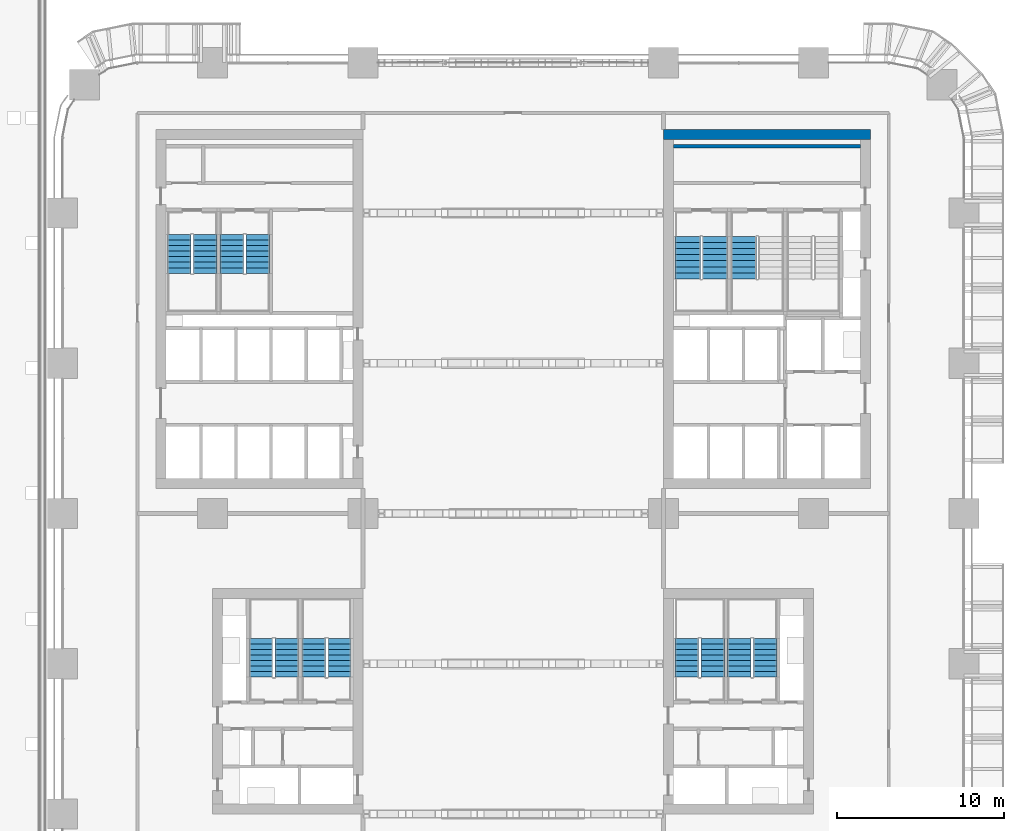
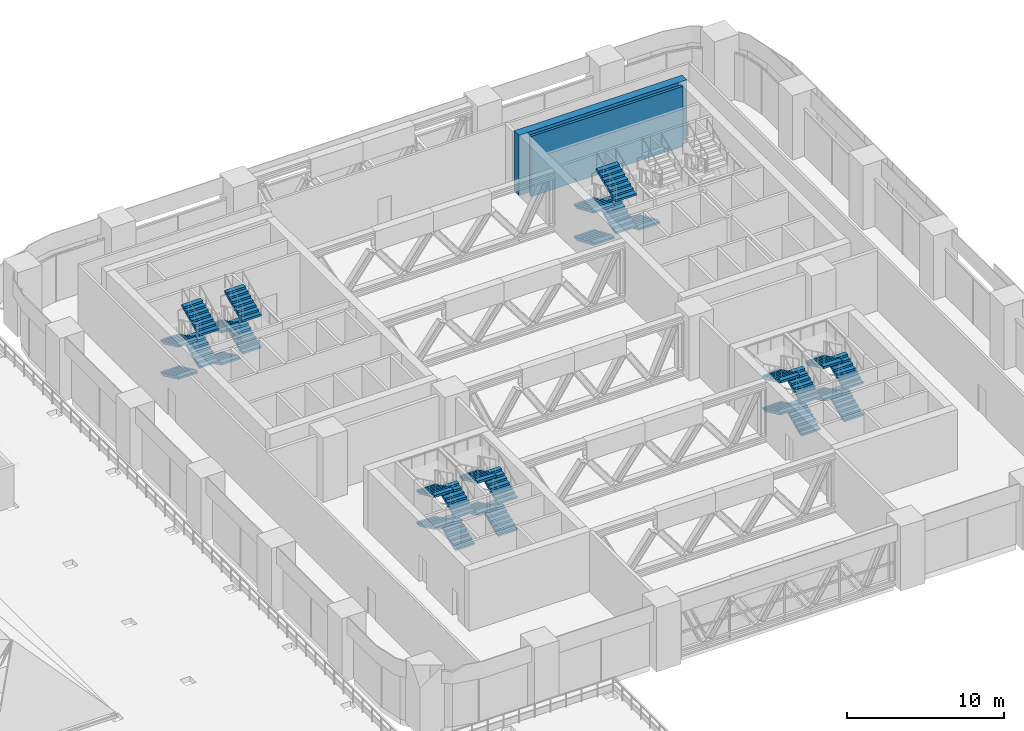
# One storey, part 26 of 35: 29 stair flights, 2 walls, 8 elements without a shape of their own.
"""IFC4 building model written with IfcOpenShell, lengths in metres."""

from ifc_helpers import new_model, si_unit, direction, frame, frame_2d, origin, place, context, subcontext, project, spatial, polyline, rectangle, outline, extrude, material, layer, layer_set, type_object, element, aggregate, save


model = new_model("IFC4")

# Units and contexts
model_context = context("Model", 3, precision=1e-05, world=origin(), true_north=direction((0.0, 1.0)))
body_context = subcontext(model_context, "Body", "Model", "MODEL_VIEW")
ifc_project = project(units=[si_unit("LENGTHUNIT", "METRE"), si_unit("AREAUNIT", "SQUARE_METRE"), si_unit("VOLUMEUNIT", "CUBIC_METRE"), si_unit("PLANEANGLEUNIT", "RADIAN"), si_unit("MASSUNIT", "GRAM", prefix="KILO")], contexts=[model_context])

# Site, building, storey
site_placement = place(None, origin())
site = spatial("IfcSite", under=ifc_project, at=site_placement, CompositionType="ELEMENT")
building_placement = place(site_placement, origin())
building = spatial("IfcBuilding", under=site, at=building_placement, Name="Tessera Arch", CompositionType="ELEMENT")
storey_placement = place(building_placement, frame((0.0, 0.0, 26.0)))
storey = spatial("IfcBuildingStorey", under=building, at=storey_placement, Name="L04", CompositionType="ELEMENT", Elevation=26.0)

# Walls
ifc_material_1 = material(Name="Gypsum board on steel stud", Category="steel")
ifc_layer_1 = layer(ifc_material_1, 0.125)
ifc_layer_set_1 = layer_set([ifc_layer_1], Name="Core partition 125 EI 60")
wall_type_1 = type_object("IfcWallType", Name="Core partition 125 EI 60", PredefinedType="PARTITIONING", material=ifc_layer_set_1)
wall_1_placement = place(storey_placement, frame((36.60009765625, 49.0, 0.0), z_axis=(0.0, 0.0, 1.0), x_axis=(1.0, 0.0, 0.0)))
element("IfcWall", 1, at=wall_1_placement, inside=storey, type_object=wall_type_1, Name="L04 C1 partition wall 38", PredefinedType="PARTITIONING", context=body_context, shape_type="SweptSolid", body=[
    extrude(rectangle(XDim=11.199951171875, YDim=0.199951171875, at=frame_2d((5.60009765625, 0.0))), origin(), (0.0, 0.0, 1.0), 4.699951171875),
])
ifc_material_2 = material(Name="Concrete C70/85", Category="concrete")
ifc_layer_2 = layer(ifc_material_2, 0.60009765625)
ifc_layer_set_2 = layer_set([ifc_layer_2], Name="Core shell wall 600 C70-85")
wall_type_2 = type_object("IfcWallType", Name="Core shell wall 600 C70-85", PredefinedType="SHEAR", material=ifc_layer_set_2)
wall_2_placement = place(storey_placement, frame((36.0, 49.699951171875, 0.0), z_axis=(0.0, 0.0, 1.0), x_axis=(1.0, 0.0, 0.0)))
element("IfcWall", 2, at=wall_2_placement, inside=storey, type_object=wall_type_2, Name="L04 C1 core wall N", PredefinedType="SHEAR", context=body_context, shape_type="SweptSolid", body=[
    extrude(rectangle(XDim=12.39990234375, YDim=0.60009765625, at=frame_2d((6.199951171875, 0.0))), origin(), (0.0, 0.0, 1.0), 4.699951171875),
])

# Stair, stair flights
ifc_material_3 = material(Name="Concrete C40/50", Category="concrete")
stair_type_1 = type_object("IfcStairType", Name="Dogleg stair 1400", PredefinedType="HALF_TURN_STAIR", material=ifc_material_3)
stair_1_placement = place(storey_placement, origin())
stair_1 = element("IfcStair", 3, at=stair_1_placement, inside=storey, type_object=stair_type_1, Name="L04 S2a", PredefinedType="HALF_TURN_STAIR")
ifc_material_4 = material(Name="Concrete C40/50", Category="concrete")
stair_flight_type_1 = type_object("IfcStairFlightType", Name="Stair flight 1400", PredefinedType="STRAIGHT", material=ifc_material_4)
stair_flight_1_placement = place(storey_placement, frame((7.0, 43.699951171875, 0.0), z_axis=(0.0, 0.0, 1.0), x_axis=(0.0, -1.0, 0.0)))
stair_flight_1 = element("IfcStairFlight", 4, at=stair_flight_1_placement, type_object=stair_flight_type_1, Name="S2a flight 1", NumberOfRisers=8, NumberOfTreads=7, PredefinedType="STRAIGHT", RiserHeight=0.15625, TreadLength=0.33, context=body_context, shape_type="SweptSolid", body=[
    extrude(outline(polyline([(0.0, 0.0), (0.0, 0.15625), (0.330078125, 0.15625), (0.330078125, 0.3125), (0.659912109375, 0.3125), (0.659912109375, 0.46875), (0.989990234375, 0.46875), (0.989990234375, 0.625), (1.320068359375, 0.625), (1.320068359375, 0.78125), (1.64990234375, 0.78125), (1.64990234375, 0.9375), (1.97998046875, 0.9375), (1.97998046875, 1.09375), (2.31005859375, 1.09375), (2.31005859375, 1.25), (2.31005859375, 0.927978515625), (0.350341796875, 0.0), (0.0, 0.0)])), frame((0.0, 0.699951171875, 0.0), z_axis=(0.0, -1.0, 0.0), x_axis=(1.0, 0.0, 0.0)), (0.0, 0.0, 1.0), 1.39990234375),
])
stair_flight_2_placement = place(storey_placement, frame((8.550048828125, 41.389892578125, 1.25), z_axis=(0.0, 0.0, 1.0), x_axis=(0.0, 1.0, 0.0)))
stair_flight_2 = element("IfcStairFlight", 5, at=stair_flight_2_placement, type_object=stair_flight_type_1, Name="S2a flight 2", NumberOfRisers=8, NumberOfTreads=7, PredefinedType="STRAIGHT", RiserHeight=0.15625, TreadLength=0.33, context=body_context, shape_type="SweptSolid", body=[
    extrude(outline(polyline([(0.0, 0.0), (0.0, 0.15625), (0.330078125, 0.15625), (0.330078125, 0.3125), (0.659912109375, 0.3125), (0.659912109375, 0.46875), (0.989990234375, 0.46875), (0.989990234375, 0.625), (1.320068359375, 0.625), (1.320068359375, 0.78125), (1.64990234375, 0.78125), (1.64990234375, 0.9375), (1.97998046875, 0.9375), (1.97998046875, 1.09375), (2.31005859375, 1.09375), (2.31005859375, 1.25), (2.31005859375, 0.927978515625), (0.350341796875, 0.0), (0.0, 0.0)])), frame((0.0, 0.699951171875, 0.0), z_axis=(0.0, -1.0, 0.0), x_axis=(1.0, 0.0, 0.0)), (0.0, 0.0, 1.0), 1.39990234375),
])
stair_flight_3_placement = place(storey_placement, frame((7.0, 43.699951171875, 2.5), z_axis=(0.0, 0.0, 1.0), x_axis=(0.0, -1.0, 0.0)))
stair_flight_3 = element("IfcStairFlight", 6, at=stair_flight_3_placement, type_object=stair_flight_type_1, Name="S2a flight 3", NumberOfRisers=8, NumberOfTreads=7, PredefinedType="STRAIGHT", RiserHeight=0.15625, TreadLength=0.33, context=body_context, shape_type="SweptSolid", body=[
    extrude(outline(polyline([(0.0, 0.0), (0.0, 0.15625), (0.330078125, 0.15625), (0.330078125, 0.3125), (0.659912109375, 0.3125), (0.659912109375, 0.46875), (0.989990234375, 0.46875), (0.989990234375, 0.625), (1.320068359375, 0.625), (1.320068359375, 0.78125), (1.64990234375, 0.78125), (1.64990234375, 0.9375), (1.97998046875, 0.9375), (1.97998046875, 1.09375), (2.31005859375, 1.09375), (2.31005859375, 1.25), (2.31005859375, 0.927978515625), (0.350341796875, 0.0), (0.0, 0.0)])), frame((0.0, 0.699951171875, 0.0), z_axis=(0.0, -1.0, 0.0), x_axis=(1.0, 0.0, 0.0)), (0.0, 0.0, 1.0), 1.39990234375),
])
stair_flight_4_placement = place(storey_placement, frame((8.550048828125, 41.389892578125, 3.75), z_axis=(0.0, 0.0, 1.0), x_axis=(0.0, 1.0, 0.0)))
stair_flight_4 = element("IfcStairFlight", 7, at=stair_flight_4_placement, type_object=stair_flight_type_1, Name="S2a flight 4", NumberOfRisers=8, NumberOfTreads=7, PredefinedType="STRAIGHT", RiserHeight=0.15625, TreadLength=0.33, context=body_context, shape_type="SweptSolid", body=[
    extrude(outline(polyline([(0.0, 0.0), (0.0, 0.15625), (0.330078125, 0.15625), (0.330078125, 0.3125), (0.659912109375, 0.3125), (0.659912109375, 0.46875), (0.989990234375, 0.46875), (0.989990234375, 0.625), (1.320068359375, 0.625), (1.320068359375, 0.78125), (1.64990234375, 0.78125), (1.64990234375, 0.9375), (1.97998046875, 0.9375), (1.97998046875, 1.09375), (2.31005859375, 1.09375), (2.31005859375, 1.25), (2.31005859375, 0.927978515625), (0.350341796875, 0.0), (0.0, 0.0)])), frame((0.0, 0.699951171875, 0.0), z_axis=(0.0, -1.0, 0.0), x_axis=(1.0, 0.0, 0.0)), (0.0, 0.0, 1.0), 1.39990234375),
])
aggregate(stair_1, [stair_flight_1, stair_flight_2, stair_flight_3, stair_flight_4])

stair_2_placement = place(storey_placement, origin())
stair_2 = element("IfcStair", 8, at=stair_2_placement, inside=storey, type_object=stair_type_1, Name="L04 S2b", PredefinedType="HALF_TURN_STAIR")
stair_flight_5_placement = place(storey_placement, frame((10.14990234375, 43.699951171875, 0.0), z_axis=(0.0, 0.0, 1.0), x_axis=(0.0, -1.0, 0.0)))
stair_flight_5 = element("IfcStairFlight", 9, at=stair_flight_5_placement, type_object=stair_flight_type_1, Name="S2b flight 1", NumberOfRisers=8, NumberOfTreads=7, PredefinedType="STRAIGHT", RiserHeight=0.15625, TreadLength=0.33, context=body_context, shape_type="SweptSolid", body=[
    extrude(outline(polyline([(0.0, 0.0), (0.0, 0.15625), (0.330078125, 0.15625), (0.330078125, 0.3125), (0.659912109375, 0.3125), (0.659912109375, 0.46875), (0.989990234375, 0.46875), (0.989990234375, 0.625), (1.320068359375, 0.625), (1.320068359375, 0.78125), (1.64990234375, 0.78125), (1.64990234375, 0.9375), (1.97998046875, 0.9375), (1.97998046875, 1.09375), (2.31005859375, 1.09375), (2.31005859375, 1.25), (2.31005859375, 0.927978515625), (0.350341796875, 0.0), (0.0, 0.0)])), frame((0.0, 0.699951171875, 0.0), z_axis=(0.0, -1.0, 0.0), x_axis=(1.0, 0.0, 0.0)), (0.0, 0.0, 1.0), 1.39990234375),
])
stair_flight_6_placement = place(storey_placement, frame((11.699951171875, 41.389892578125, 1.25), z_axis=(0.0, 0.0, 1.0), x_axis=(0.0, 1.0, 0.0)))
stair_flight_6 = element("IfcStairFlight", 10, at=stair_flight_6_placement, type_object=stair_flight_type_1, Name="S2b flight 2", NumberOfRisers=8, NumberOfTreads=7, PredefinedType="STRAIGHT", RiserHeight=0.15625, TreadLength=0.33, context=body_context, shape_type="SweptSolid", body=[
    extrude(outline(polyline([(0.0, 0.0), (0.0, 0.15625), (0.330078125, 0.15625), (0.330078125, 0.3125), (0.659912109375, 0.3125), (0.659912109375, 0.46875), (0.989990234375, 0.46875), (0.989990234375, 0.625), (1.320068359375, 0.625), (1.320068359375, 0.78125), (1.64990234375, 0.78125), (1.64990234375, 0.9375), (1.97998046875, 0.9375), (1.97998046875, 1.09375), (2.31005859375, 1.09375), (2.31005859375, 1.25), (2.31005859375, 0.927978515625), (0.350341796875, 0.0), (0.0, 0.0)])), frame((0.0, 0.699951171875, 0.0), z_axis=(0.0, -1.0, 0.0), x_axis=(1.0, 0.0, 0.0)), (0.0, 0.0, 1.0), 1.39990234375),
])
stair_flight_7_placement = place(storey_placement, frame((10.14990234375, 43.699951171875, 2.5), z_axis=(0.0, 0.0, 1.0), x_axis=(0.0, -1.0, 0.0)))
stair_flight_7 = element("IfcStairFlight", 11, at=stair_flight_7_placement, type_object=stair_flight_type_1, Name="S2b flight 3", NumberOfRisers=8, NumberOfTreads=7, PredefinedType="STRAIGHT", RiserHeight=0.15625, TreadLength=0.33, context=body_context, shape_type="SweptSolid", body=[
    extrude(outline(polyline([(0.0, 0.0), (0.0, 0.15625), (0.330078125, 0.15625), (0.330078125, 0.3125), (0.659912109375, 0.3125), (0.659912109375, 0.46875), (0.989990234375, 0.46875), (0.989990234375, 0.625), (1.320068359375, 0.625), (1.320068359375, 0.78125), (1.64990234375, 0.78125), (1.64990234375, 0.9375), (1.97998046875, 0.9375), (1.97998046875, 1.09375), (2.31005859375, 1.09375), (2.31005859375, 1.25), (2.31005859375, 0.927978515625), (0.350341796875, 0.0), (0.0, 0.0)])), frame((0.0, 0.699951171875, 0.0), z_axis=(0.0, -1.0, 0.0), x_axis=(1.0, 0.0, 0.0)), (0.0, 0.0, 1.0), 1.39990234375),
])
stair_flight_8_placement = place(storey_placement, frame((11.699951171875, 41.389892578125, 3.75), z_axis=(0.0, 0.0, 1.0), x_axis=(0.0, 1.0, 0.0)))
stair_flight_8 = element("IfcStairFlight", 12, at=stair_flight_8_placement, type_object=stair_flight_type_1, Name="S2b flight 4", NumberOfRisers=8, NumberOfTreads=7, PredefinedType="STRAIGHT", RiserHeight=0.15625, TreadLength=0.33, context=body_context, shape_type="SweptSolid", body=[
    extrude(outline(polyline([(0.0, 0.0), (0.0, 0.15625), (0.330078125, 0.15625), (0.330078125, 0.3125), (0.659912109375, 0.3125), (0.659912109375, 0.46875), (0.989990234375, 0.46875), (0.989990234375, 0.625), (1.320068359375, 0.625), (1.320068359375, 0.78125), (1.64990234375, 0.78125), (1.64990234375, 0.9375), (1.97998046875, 0.9375), (1.97998046875, 1.09375), (2.31005859375, 1.09375), (2.31005859375, 1.25), (2.31005859375, 0.927978515625), (0.350341796875, 0.0), (0.0, 0.0)])), frame((0.0, 0.699951171875, 0.0), z_axis=(0.0, -1.0, 0.0), x_axis=(1.0, 0.0, 0.0)), (0.0, 0.0, 1.0), 1.39990234375),
])
aggregate(stair_2, [stair_flight_5, stair_flight_6, stair_flight_7, stair_flight_8])

stair_3_placement = place(storey_placement, origin())
stair_3 = element("IfcStair", 13, at=stair_3_placement, inside=storey, type_object=stair_type_1, Name="L04 S3a", PredefinedType="HALF_TURN_STAIR")
stair_flight_9_placement = place(storey_placement, frame((38.949951171875, 17.199951171875, 0.0), z_axis=(0.0, 0.0, 1.0), x_axis=(0.0, 1.0, 0.0)))
stair_flight_9 = element("IfcStairFlight", 14, at=stair_flight_9_placement, type_object=stair_flight_type_1, Name="S3a flight 1", NumberOfRisers=8, NumberOfTreads=7, PredefinedType="STRAIGHT", RiserHeight=0.15625, TreadLength=0.33, context=body_context, shape_type="SweptSolid", body=[
    extrude(outline(polyline([(0.0, 0.0), (0.0, 0.15625), (0.330078125, 0.15625), (0.330078125, 0.3125), (0.659912109375, 0.3125), (0.659912109375, 0.46875), (0.989990234375, 0.46875), (0.989990234375, 0.625), (1.320068359375, 0.625), (1.320068359375, 0.78125), (1.64990234375, 0.78125), (1.64990234375, 0.9375), (1.97998046875, 0.9375), (1.97998046875, 1.09375), (2.31005859375, 1.09375), (2.31005859375, 1.25), (2.31005859375, 0.927978515625), (0.350341796875, 0.0), (0.0, 0.0)])), frame((0.0, 0.699951171875, 0.0), z_axis=(0.0, -1.0, 0.0), x_axis=(1.0, 0.0, 0.0)), (0.0, 0.0, 1.0), 1.39990234375),
])
stair_flight_10_placement = place(storey_placement, frame((37.39990234375, 19.510009765625, 1.25), z_axis=(0.0, 0.0, 1.0), x_axis=(0.0, -1.0, 0.0)))
stair_flight_10 = element("IfcStairFlight", 15, at=stair_flight_10_placement, type_object=stair_flight_type_1, Name="S3a flight 2", NumberOfRisers=8, NumberOfTreads=7, PredefinedType="STRAIGHT", RiserHeight=0.15625, TreadLength=0.33, context=body_context, shape_type="SweptSolid", body=[
    extrude(outline(polyline([(0.0, 0.0), (0.0, 0.15625), (0.330078125, 0.15625), (0.330078125, 0.3125), (0.659912109375, 0.3125), (0.659912109375, 0.46875), (0.989990234375, 0.46875), (0.989990234375, 0.625), (1.320068359375, 0.625), (1.320068359375, 0.78125), (1.64990234375, 0.78125), (1.64990234375, 0.9375), (1.97998046875, 0.9375), (1.97998046875, 1.09375), (2.31005859375, 1.09375), (2.31005859375, 1.25), (2.31005859375, 0.927978515625), (0.350341796875, 0.0), (0.0, 0.0)])), frame((0.0, 0.699951171875, 0.0), z_axis=(0.0, -1.0, 0.0), x_axis=(1.0, 0.0, 0.0)), (0.0, 0.0, 1.0), 1.39990234375),
])
stair_flight_11_placement = place(storey_placement, frame((38.949951171875, 17.199951171875, 2.5), z_axis=(0.0, 0.0, 1.0), x_axis=(0.0, 1.0, 0.0)))
stair_flight_11 = element("IfcStairFlight", 16, at=stair_flight_11_placement, type_object=stair_flight_type_1, Name="S3a flight 3", NumberOfRisers=8, NumberOfTreads=7, PredefinedType="STRAIGHT", RiserHeight=0.15625, TreadLength=0.33, context=body_context, shape_type="SweptSolid", body=[
    extrude(outline(polyline([(0.0, 0.0), (0.0, 0.15625), (0.330078125, 0.15625), (0.330078125, 0.3125), (0.659912109375, 0.3125), (0.659912109375, 0.46875), (0.989990234375, 0.46875), (0.989990234375, 0.625), (1.320068359375, 0.625), (1.320068359375, 0.78125), (1.64990234375, 0.78125), (1.64990234375, 0.9375), (1.97998046875, 0.9375), (1.97998046875, 1.09375), (2.31005859375, 1.09375), (2.31005859375, 1.25), (2.31005859375, 0.927978515625), (0.350341796875, 0.0), (0.0, 0.0)])), frame((0.0, 0.699951171875, 0.0), z_axis=(0.0, -1.0, 0.0), x_axis=(1.0, 0.0, 0.0)), (0.0, 0.0, 1.0), 1.39990234375),
])
stair_flight_12_placement = place(storey_placement, frame((37.39990234375, 19.510009765625, 3.75), z_axis=(0.0, 0.0, 1.0), x_axis=(0.0, -1.0, 0.0)))
stair_flight_12 = element("IfcStairFlight", 17, at=stair_flight_12_placement, type_object=stair_flight_type_1, Name="S3a flight 4", NumberOfRisers=8, NumberOfTreads=7, PredefinedType="STRAIGHT", RiserHeight=0.15625, TreadLength=0.33, context=body_context, shape_type="SweptSolid", body=[
    extrude(outline(polyline([(0.0, 0.0), (0.0, 0.15625), (0.330078125, 0.15625), (0.330078125, 0.3125), (0.659912109375, 0.3125), (0.659912109375, 0.46875), (0.989990234375, 0.46875), (0.989990234375, 0.625), (1.320068359375, 0.625), (1.320068359375, 0.78125), (1.64990234375, 0.78125), (1.64990234375, 0.9375), (1.97998046875, 0.9375), (1.97998046875, 1.09375), (2.31005859375, 1.09375), (2.31005859375, 1.25), (2.31005859375, 0.927978515625), (0.350341796875, 0.0), (0.0, 0.0)])), frame((0.0, 0.699951171875, 0.0), z_axis=(0.0, -1.0, 0.0), x_axis=(1.0, 0.0, 0.0)), (0.0, 0.0, 1.0), 1.39990234375),
])
aggregate(stair_3, [stair_flight_9, stair_flight_10, stair_flight_11, stair_flight_12])

stair_4_placement = place(storey_placement, origin())
stair_4 = element("IfcStair", 18, at=stair_4_placement, inside=storey, type_object=stair_type_1, Name="L04 S3b", PredefinedType="HALF_TURN_STAIR")
stair_flight_13_placement = place(storey_placement, frame((42.10009765625, 17.199951171875, 0.0), z_axis=(0.0, 0.0, 1.0), x_axis=(0.0, 1.0, 0.0)))
stair_flight_13 = element("IfcStairFlight", 19, at=stair_flight_13_placement, type_object=stair_flight_type_1, Name="S3b flight 1", NumberOfRisers=8, NumberOfTreads=7, PredefinedType="STRAIGHT", RiserHeight=0.15625, TreadLength=0.33, context=body_context, shape_type="SweptSolid", body=[
    extrude(outline(polyline([(0.0, 0.0), (0.0, 0.15625), (0.330078125, 0.15625), (0.330078125, 0.3125), (0.659912109375, 0.3125), (0.659912109375, 0.46875), (0.989990234375, 0.46875), (0.989990234375, 0.625), (1.320068359375, 0.625), (1.320068359375, 0.78125), (1.64990234375, 0.78125), (1.64990234375, 0.9375), (1.97998046875, 0.9375), (1.97998046875, 1.09375), (2.31005859375, 1.09375), (2.31005859375, 1.25), (2.31005859375, 0.927978515625), (0.350341796875, 0.0), (0.0, 0.0)])), frame((0.0, 0.699951171875, 0.0), z_axis=(0.0, -1.0, 0.0), x_axis=(1.0, 0.0, 0.0)), (0.0, 0.0, 1.0), 1.39990234375),
])
stair_flight_14_placement = place(storey_placement, frame((40.550048828125, 19.510009765625, 1.25), z_axis=(0.0, 0.0, 1.0), x_axis=(0.0, -1.0, 0.0)))
stair_flight_14 = element("IfcStairFlight", 20, at=stair_flight_14_placement, type_object=stair_flight_type_1, Name="S3b flight 2", NumberOfRisers=8, NumberOfTreads=7, PredefinedType="STRAIGHT", RiserHeight=0.15625, TreadLength=0.33, context=body_context, shape_type="SweptSolid", body=[
    extrude(outline(polyline([(0.0, 0.0), (0.0, 0.15625), (0.330078125, 0.15625), (0.330078125, 0.3125), (0.659912109375, 0.3125), (0.659912109375, 0.46875), (0.989990234375, 0.46875), (0.989990234375, 0.625), (1.320068359375, 0.625), (1.320068359375, 0.78125), (1.64990234375, 0.78125), (1.64990234375, 0.9375), (1.97998046875, 0.9375), (1.97998046875, 1.09375), (2.31005859375, 1.09375), (2.31005859375, 1.25), (2.31005859375, 0.927978515625), (0.350341796875, 0.0), (0.0, 0.0)])), frame((0.0, 0.699951171875, 0.0), z_axis=(0.0, -1.0, 0.0), x_axis=(1.0, 0.0, 0.0)), (0.0, 0.0, 1.0), 1.39990234375),
])
stair_flight_15_placement = place(storey_placement, frame((42.10009765625, 17.199951171875, 2.5), z_axis=(0.0, 0.0, 1.0), x_axis=(0.0, 1.0, 0.0)))
stair_flight_15 = element("IfcStairFlight", 21, at=stair_flight_15_placement, type_object=stair_flight_type_1, Name="S3b flight 3", NumberOfRisers=8, NumberOfTreads=7, PredefinedType="STRAIGHT", RiserHeight=0.15625, TreadLength=0.33, context=body_context, shape_type="SweptSolid", body=[
    extrude(outline(polyline([(0.0, 0.0), (0.0, 0.15625), (0.330078125, 0.15625), (0.330078125, 0.3125), (0.659912109375, 0.3125), (0.659912109375, 0.46875), (0.989990234375, 0.46875), (0.989990234375, 0.625), (1.320068359375, 0.625), (1.320068359375, 0.78125), (1.64990234375, 0.78125), (1.64990234375, 0.9375), (1.97998046875, 0.9375), (1.97998046875, 1.09375), (2.31005859375, 1.09375), (2.31005859375, 1.25), (2.31005859375, 0.927978515625), (0.350341796875, 0.0), (0.0, 0.0)])), frame((0.0, 0.699951171875, 0.0), z_axis=(0.0, -1.0, 0.0), x_axis=(1.0, 0.0, 0.0)), (0.0, 0.0, 1.0), 1.39990234375),
])
stair_flight_16_placement = place(storey_placement, frame((40.550048828125, 19.510009765625, 3.75), z_axis=(0.0, 0.0, 1.0), x_axis=(0.0, -1.0, 0.0)))
stair_flight_16 = element("IfcStairFlight", 22, at=stair_flight_16_placement, type_object=stair_flight_type_1, Name="S3b flight 4", NumberOfRisers=8, NumberOfTreads=7, PredefinedType="STRAIGHT", RiserHeight=0.15625, TreadLength=0.33, context=body_context, shape_type="SweptSolid", body=[
    extrude(outline(polyline([(0.0, 0.0), (0.0, 0.15625), (0.330078125, 0.15625), (0.330078125, 0.3125), (0.659912109375, 0.3125), (0.659912109375, 0.46875), (0.989990234375, 0.46875), (0.989990234375, 0.625), (1.320068359375, 0.625), (1.320068359375, 0.78125), (1.64990234375, 0.78125), (1.64990234375, 0.9375), (1.97998046875, 0.9375), (1.97998046875, 1.09375), (2.31005859375, 1.09375), (2.31005859375, 1.25), (2.31005859375, 0.927978515625), (0.350341796875, 0.0), (0.0, 0.0)])), frame((0.0, 0.699951171875, 0.0), z_axis=(0.0, -1.0, 0.0), x_axis=(1.0, 0.0, 0.0)), (0.0, 0.0, 1.0), 1.39990234375),
])
aggregate(stair_4, [stair_flight_13, stair_flight_14, stair_flight_15, stair_flight_16])

stair_5_placement = place(storey_placement, origin())
stair_5 = element("IfcStair", 23, at=stair_5_placement, inside=storey, type_object=stair_type_1, Name="L04 S4a", PredefinedType="HALF_TURN_STAIR")
stair_flight_17_placement = place(storey_placement, frame((16.60009765625, 17.199951171875, 0.0), z_axis=(0.0, 0.0, 1.0), x_axis=(0.0, 1.0, 0.0)))
stair_flight_17 = element("IfcStairFlight", 24, at=stair_flight_17_placement, type_object=stair_flight_type_1, Name="S4a flight 1", NumberOfRisers=8, NumberOfTreads=7, PredefinedType="STRAIGHT", RiserHeight=0.15625, TreadLength=0.33, context=body_context, shape_type="SweptSolid", body=[
    extrude(outline(polyline([(0.0, 0.0), (0.0, 0.15625), (0.330078125, 0.15625), (0.330078125, 0.3125), (0.659912109375, 0.3125), (0.659912109375, 0.46875), (0.989990234375, 0.46875), (0.989990234375, 0.625), (1.320068359375, 0.625), (1.320068359375, 0.78125), (1.64990234375, 0.78125), (1.64990234375, 0.9375), (1.97998046875, 0.9375), (1.97998046875, 1.09375), (2.31005859375, 1.09375), (2.31005859375, 1.25), (2.31005859375, 0.927978515625), (0.350341796875, 0.0), (0.0, 0.0)])), frame((0.0, 0.699951171875, 0.0), z_axis=(0.0, -1.0, 0.0), x_axis=(1.0, 0.0, 0.0)), (0.0, 0.0, 1.0), 1.39990234375),
])
stair_flight_18_placement = place(storey_placement, frame((15.050048828125, 19.510009765625, 1.25), z_axis=(0.0, 0.0, 1.0), x_axis=(0.0, -1.0, 0.0)))
stair_flight_18 = element("IfcStairFlight", 25, at=stair_flight_18_placement, type_object=stair_flight_type_1, Name="S4a flight 2", NumberOfRisers=8, NumberOfTreads=7, PredefinedType="STRAIGHT", RiserHeight=0.15625, TreadLength=0.33, context=body_context, shape_type="SweptSolid", body=[
    extrude(outline(polyline([(0.0, 0.0), (0.0, 0.15625), (0.330078125, 0.15625), (0.330078125, 0.3125), (0.659912109375, 0.3125), (0.659912109375, 0.46875), (0.989990234375, 0.46875), (0.989990234375, 0.625), (1.320068359375, 0.625), (1.320068359375, 0.78125), (1.64990234375, 0.78125), (1.64990234375, 0.9375), (1.97998046875, 0.9375), (1.97998046875, 1.09375), (2.31005859375, 1.09375), (2.31005859375, 1.25), (2.31005859375, 0.927978515625), (0.350341796875, 0.0), (0.0, 0.0)])), frame((0.0, 0.699951171875, 0.0), z_axis=(0.0, -1.0, 0.0), x_axis=(1.0, 0.0, 0.0)), (0.0, 0.0, 1.0), 1.39990234375),
])
stair_flight_19_placement = place(storey_placement, frame((16.60009765625, 17.199951171875, 2.5), z_axis=(0.0, 0.0, 1.0), x_axis=(0.0, 1.0, 0.0)))
stair_flight_19 = element("IfcStairFlight", 26, at=stair_flight_19_placement, type_object=stair_flight_type_1, Name="S4a flight 3", NumberOfRisers=8, NumberOfTreads=7, PredefinedType="STRAIGHT", RiserHeight=0.15625, TreadLength=0.33, context=body_context, shape_type="SweptSolid", body=[
    extrude(outline(polyline([(0.0, 0.0), (0.0, 0.15625), (0.330078125, 0.15625), (0.330078125, 0.3125), (0.659912109375, 0.3125), (0.659912109375, 0.46875), (0.989990234375, 0.46875), (0.989990234375, 0.625), (1.320068359375, 0.625), (1.320068359375, 0.78125), (1.64990234375, 0.78125), (1.64990234375, 0.9375), (1.97998046875, 0.9375), (1.97998046875, 1.09375), (2.31005859375, 1.09375), (2.31005859375, 1.25), (2.31005859375, 0.927978515625), (0.350341796875, 0.0), (0.0, 0.0)])), frame((0.0, 0.699951171875, 0.0), z_axis=(0.0, -1.0, 0.0), x_axis=(1.0, 0.0, 0.0)), (0.0, 0.0, 1.0), 1.39990234375),
])
stair_flight_20_placement = place(storey_placement, frame((15.050048828125, 19.510009765625, 3.75), z_axis=(0.0, 0.0, 1.0), x_axis=(0.0, -1.0, 0.0)))
stair_flight_20 = element("IfcStairFlight", 27, at=stair_flight_20_placement, type_object=stair_flight_type_1, Name="S4a flight 4", NumberOfRisers=8, NumberOfTreads=7, PredefinedType="STRAIGHT", RiserHeight=0.15625, TreadLength=0.33, context=body_context, shape_type="SweptSolid", body=[
    extrude(outline(polyline([(0.0, 0.0), (0.0, 0.15625), (0.330078125, 0.15625), (0.330078125, 0.3125), (0.659912109375, 0.3125), (0.659912109375, 0.46875), (0.989990234375, 0.46875), (0.989990234375, 0.625), (1.320068359375, 0.625), (1.320068359375, 0.78125), (1.64990234375, 0.78125), (1.64990234375, 0.9375), (1.97998046875, 0.9375), (1.97998046875, 1.09375), (2.31005859375, 1.09375), (2.31005859375, 1.25), (2.31005859375, 0.927978515625), (0.350341796875, 0.0), (0.0, 0.0)])), frame((0.0, 0.699951171875, 0.0), z_axis=(0.0, -1.0, 0.0), x_axis=(1.0, 0.0, 0.0)), (0.0, 0.0, 1.0), 1.39990234375),
])
aggregate(stair_5, [stair_flight_17, stair_flight_18, stair_flight_19, stair_flight_20])

stair_6_placement = place(storey_placement, origin())
stair_6 = element("IfcStair", 28, at=stair_6_placement, inside=storey, type_object=stair_type_1, Name="L04 S4b", PredefinedType="HALF_TURN_STAIR")
stair_flight_21_placement = place(storey_placement, frame((13.449951171875, 17.199951171875, 0.0), z_axis=(0.0, 0.0, 1.0), x_axis=(0.0, 1.0, 0.0)))
stair_flight_21 = element("IfcStairFlight", 29, at=stair_flight_21_placement, type_object=stair_flight_type_1, Name="S4b flight 1", NumberOfRisers=8, NumberOfTreads=7, PredefinedType="STRAIGHT", RiserHeight=0.15625, TreadLength=0.33, context=body_context, shape_type="SweptSolid", body=[
    extrude(outline(polyline([(0.0, 0.0), (0.0, 0.15625), (0.330078125, 0.15625), (0.330078125, 0.3125), (0.659912109375, 0.3125), (0.659912109375, 0.46875), (0.989990234375, 0.46875), (0.989990234375, 0.625), (1.320068359375, 0.625), (1.320068359375, 0.78125), (1.64990234375, 0.78125), (1.64990234375, 0.9375), (1.97998046875, 0.9375), (1.97998046875, 1.09375), (2.31005859375, 1.09375), (2.31005859375, 1.25), (2.31005859375, 0.927978515625), (0.350341796875, 0.0), (0.0, 0.0)])), frame((0.0, 0.699951171875, 0.0), z_axis=(0.0, -1.0, 0.0), x_axis=(1.0, 0.0, 0.0)), (0.0, 0.0, 1.0), 1.39990234375),
])
stair_flight_22_placement = place(storey_placement, frame((11.89990234375, 19.510009765625, 1.25), z_axis=(0.0, 0.0, 1.0), x_axis=(0.0, -1.0, 0.0)))
stair_flight_22 = element("IfcStairFlight", 30, at=stair_flight_22_placement, type_object=stair_flight_type_1, Name="S4b flight 2", NumberOfRisers=8, NumberOfTreads=7, PredefinedType="STRAIGHT", RiserHeight=0.15625, TreadLength=0.33, context=body_context, shape_type="SweptSolid", body=[
    extrude(outline(polyline([(0.0, 0.0), (0.0, 0.15625), (0.330078125, 0.15625), (0.330078125, 0.3125), (0.659912109375, 0.3125), (0.659912109375, 0.46875), (0.989990234375, 0.46875), (0.989990234375, 0.625), (1.320068359375, 0.625), (1.320068359375, 0.78125), (1.64990234375, 0.78125), (1.64990234375, 0.9375), (1.97998046875, 0.9375), (1.97998046875, 1.09375), (2.31005859375, 1.09375), (2.31005859375, 1.25), (2.31005859375, 0.927978515625), (0.350341796875, 0.0), (0.0, 0.0)])), frame((0.0, 0.699951171875, 0.0), z_axis=(0.0, -1.0, 0.0), x_axis=(1.0, 0.0, 0.0)), (0.0, 0.0, 1.0), 1.39990234375),
])
stair_flight_23_placement = place(storey_placement, frame((13.449951171875, 17.199951171875, 2.5), z_axis=(0.0, 0.0, 1.0), x_axis=(0.0, 1.0, 0.0)))
stair_flight_23 = element("IfcStairFlight", 31, at=stair_flight_23_placement, type_object=stair_flight_type_1, Name="S4b flight 3", NumberOfRisers=8, NumberOfTreads=7, PredefinedType="STRAIGHT", RiserHeight=0.15625, TreadLength=0.33, context=body_context, shape_type="SweptSolid", body=[
    extrude(outline(polyline([(0.0, 0.0), (0.0, 0.15625), (0.330078125, 0.15625), (0.330078125, 0.3125), (0.659912109375, 0.3125), (0.659912109375, 0.46875), (0.989990234375, 0.46875), (0.989990234375, 0.625), (1.320068359375, 0.625), (1.320068359375, 0.78125), (1.64990234375, 0.78125), (1.64990234375, 0.9375), (1.97998046875, 0.9375), (1.97998046875, 1.09375), (2.31005859375, 1.09375), (2.31005859375, 1.25), (2.31005859375, 0.927978515625), (0.350341796875, 0.0), (0.0, 0.0)])), frame((0.0, 0.699951171875, 0.0), z_axis=(0.0, -1.0, 0.0), x_axis=(1.0, 0.0, 0.0)), (0.0, 0.0, 1.0), 1.39990234375),
])
stair_flight_24_placement = place(storey_placement, frame((11.89990234375, 19.510009765625, 3.75), z_axis=(0.0, 0.0, 1.0), x_axis=(0.0, -1.0, 0.0)))
stair_flight_24 = element("IfcStairFlight", 32, at=stair_flight_24_placement, type_object=stair_flight_type_1, Name="S4b flight 4", NumberOfRisers=8, NumberOfTreads=7, PredefinedType="STRAIGHT", RiserHeight=0.15625, TreadLength=0.33, context=body_context, shape_type="SweptSolid", body=[
    extrude(outline(polyline([(0.0, 0.0), (0.0, 0.15625), (0.330078125, 0.15625), (0.330078125, 0.3125), (0.659912109375, 0.3125), (0.659912109375, 0.46875), (0.989990234375, 0.46875), (0.989990234375, 0.625), (1.320068359375, 0.625), (1.320068359375, 0.78125), (1.64990234375, 0.78125), (1.64990234375, 0.9375), (1.97998046875, 0.9375), (1.97998046875, 1.09375), (2.31005859375, 1.09375), (2.31005859375, 1.25), (2.31005859375, 0.927978515625), (0.350341796875, 0.0), (0.0, 0.0)])), frame((0.0, 0.699951171875, 0.0), z_axis=(0.0, -1.0, 0.0), x_axis=(1.0, 0.0, 0.0)), (0.0, 0.0, 1.0), 1.39990234375),
])
aggregate(stair_6, [stair_flight_21, stair_flight_22, stair_flight_23, stair_flight_24])

ifc_material_5 = material(Name="Concrete C40/50", Category="concrete")
stair_type_2 = type_object("IfcStairType", Name="Dogleg stair 1520", PredefinedType="HALF_TURN_STAIR", material=ifc_material_5)
stair_7_placement = place(storey_placement, origin())
stair_7 = element("IfcStair", 33, at=stair_7_placement, inside=storey, type_object=stair_type_2, Name="L04 S1a", PredefinedType="HALF_TURN_STAIR")
ifc_material_6 = material(Name="Concrete C40/50", Category="concrete")
stair_flight_type_2 = type_object("IfcStairFlightType", Name="Stair flight 1520", PredefinedType="STRAIGHT", material=ifc_material_6)
stair_flight_25_placement = place(storey_placement, frame((37.4599609375, 43.580078125, 0.0), z_axis=(0.0, 0.0, 1.0), x_axis=(0.0, -1.0, 0.0)))
stair_flight_25 = element("IfcStairFlight", 34, at=stair_flight_25_placement, type_object=stair_flight_type_2, Name="S1a flight 1", NumberOfRisers=8, NumberOfTreads=7, PredefinedType="STRAIGHT", RiserHeight=0.15625, TreadLength=0.36, context=body_context, shape_type="SweptSolid", body=[
    extrude(outline(polyline([(0.0, 0.0), (0.0, 0.15625), (0.360107421875, 0.15625), (0.360107421875, 0.3125), (0.719970703125, 0.3125), (0.719970703125, 0.46875), (1.080078125, 0.46875), (1.080078125, 0.625), (1.43994140625, 0.625), (1.43994140625, 0.78125), (1.800048828125, 0.78125), (1.800048828125, 0.9375), (2.159912109375, 0.9375), (2.159912109375, 1.09375), (2.52001953125, 1.09375), (2.52001953125, 1.25), (2.52001953125, 0.930419921875), (0.37646484375, 0.0), (0.0, 0.0)])), frame((0.0, 0.760009765625, 0.0), z_axis=(0.0, -1.0, 0.0), x_axis=(1.0, 0.0, 0.0)), (0.0, 0.0, 1.0), 1.52001953125),
])
stair_flight_26_placement = place(storey_placement, frame((39.090087890625, 41.06005859375, 1.25), z_axis=(0.0, 0.0, 1.0), x_axis=(0.0, 1.0, 0.0)))
stair_flight_26 = element("IfcStairFlight", 35, at=stair_flight_26_placement, type_object=stair_flight_type_2, Name="S1a flight 2", NumberOfRisers=8, NumberOfTreads=7, PredefinedType="STRAIGHT", RiserHeight=0.15625, TreadLength=0.36, context=body_context, shape_type="SweptSolid", body=[
    extrude(outline(polyline([(0.0, 0.0), (0.0, 0.15625), (0.360107421875, 0.15625), (0.360107421875, 0.3125), (0.719970703125, 0.3125), (0.719970703125, 0.46875), (1.080078125, 0.46875), (1.080078125, 0.625), (1.43994140625, 0.625), (1.43994140625, 0.78125), (1.800048828125, 0.78125), (1.800048828125, 0.9375), (2.159912109375, 0.9375), (2.159912109375, 1.09375), (2.52001953125, 1.09375), (2.52001953125, 1.25), (2.52001953125, 0.930419921875), (0.37646484375, 0.0), (0.0, 0.0)])), frame((0.0, 0.760009765625, 0.0), z_axis=(0.0, -1.0, 0.0), x_axis=(1.0, 0.0, 0.0)), (0.0, 0.0, 1.0), 1.52001953125),
])
stair_flight_27_placement = place(storey_placement, frame((37.4599609375, 43.580078125, 2.5), z_axis=(0.0, 0.0, 1.0), x_axis=(0.0, -1.0, 0.0)))
stair_flight_27 = element("IfcStairFlight", 36, at=stair_flight_27_placement, type_object=stair_flight_type_2, Name="S1a flight 3", NumberOfRisers=8, NumberOfTreads=7, PredefinedType="STRAIGHT", RiserHeight=0.15625, TreadLength=0.36, context=body_context, shape_type="SweptSolid", body=[
    extrude(outline(polyline([(0.0, 0.0), (0.0, 0.15625), (0.360107421875, 0.15625), (0.360107421875, 0.3125), (0.719970703125, 0.3125), (0.719970703125, 0.46875), (1.080078125, 0.46875), (1.080078125, 0.625), (1.43994140625, 0.625), (1.43994140625, 0.78125), (1.800048828125, 0.78125), (1.800048828125, 0.9375), (2.159912109375, 0.9375), (2.159912109375, 1.09375), (2.52001953125, 1.09375), (2.52001953125, 1.25), (2.52001953125, 0.930419921875), (0.37646484375, 0.0), (0.0, 0.0)])), frame((0.0, 0.760009765625, 0.0), z_axis=(0.0, -1.0, 0.0), x_axis=(1.0, 0.0, 0.0)), (0.0, 0.0, 1.0), 1.52001953125),
])
stair_flight_28_placement = place(storey_placement, frame((39.090087890625, 41.06005859375, 3.75), z_axis=(0.0, 0.0, 1.0), x_axis=(0.0, 1.0, 0.0)))
stair_flight_28 = element("IfcStairFlight", 37, at=stair_flight_28_placement, type_object=stair_flight_type_2, Name="S1a flight 4", NumberOfRisers=8, NumberOfTreads=7, PredefinedType="STRAIGHT", RiserHeight=0.15625, TreadLength=0.36, context=body_context, shape_type="SweptSolid", body=[
    extrude(outline(polyline([(0.0, 0.0), (0.0, 0.15625), (0.360107421875, 0.15625), (0.360107421875, 0.3125), (0.719970703125, 0.3125), (0.719970703125, 0.46875), (1.080078125, 0.46875), (1.080078125, 0.625), (1.43994140625, 0.625), (1.43994140625, 0.78125), (1.800048828125, 0.78125), (1.800048828125, 0.9375), (2.159912109375, 0.9375), (2.159912109375, 1.09375), (2.52001953125, 1.09375), (2.52001953125, 1.25), (2.52001953125, 0.930419921875), (0.37646484375, 0.0), (0.0, 0.0)])), frame((0.0, 0.760009765625, 0.0), z_axis=(0.0, -1.0, 0.0), x_axis=(1.0, 0.0, 0.0)), (0.0, 0.0, 1.0), 1.52001953125),
])
aggregate(stair_7, [stair_flight_25, stair_flight_26, stair_flight_27, stair_flight_28])

# Stair, stair flight
stair_8_placement = place(storey_placement, origin())
stair_8 = element("IfcStair", 38, at=stair_8_placement, inside=storey, type_object=stair_type_2, Name="L04 S1b", PredefinedType="HALF_TURN_STAIR")
stair_flight_29_placement = place(storey_placement, frame((40.81005859375, 43.580078125, 0.0), z_axis=(0.0, 0.0, 1.0), x_axis=(0.0, -1.0, 0.0)))
stair_flight_29 = element("IfcStairFlight", 39, at=stair_flight_29_placement, type_object=stair_flight_type_2, Name="S1b flight 1", NumberOfRisers=8, NumberOfTreads=7, PredefinedType="STRAIGHT", RiserHeight=0.15625, TreadLength=0.36, context=body_context, shape_type="SweptSolid", body=[
    extrude(outline(polyline([(0.0, 0.0), (0.0, 0.15625), (0.360107421875, 0.15625), (0.360107421875, 0.3125), (0.719970703125, 0.3125), (0.719970703125, 0.46875), (1.080078125, 0.46875), (1.080078125, 0.625), (1.43994140625, 0.625), (1.43994140625, 0.78125), (1.800048828125, 0.78125), (1.800048828125, 0.9375), (2.159912109375, 0.9375), (2.159912109375, 1.09375), (2.52001953125, 1.09375), (2.52001953125, 1.25), (2.52001953125, 0.930419921875), (0.37646484375, 0.0), (0.0, 0.0)])), frame((0.0, 0.760009765625, 0.0), z_axis=(0.0, -1.0, 0.0), x_axis=(1.0, 0.0, 0.0)), (0.0, 0.0, 1.0), 1.52001953125),
])
aggregate(stair_8, [stair_flight_29])

save(model, "model.ifc")
